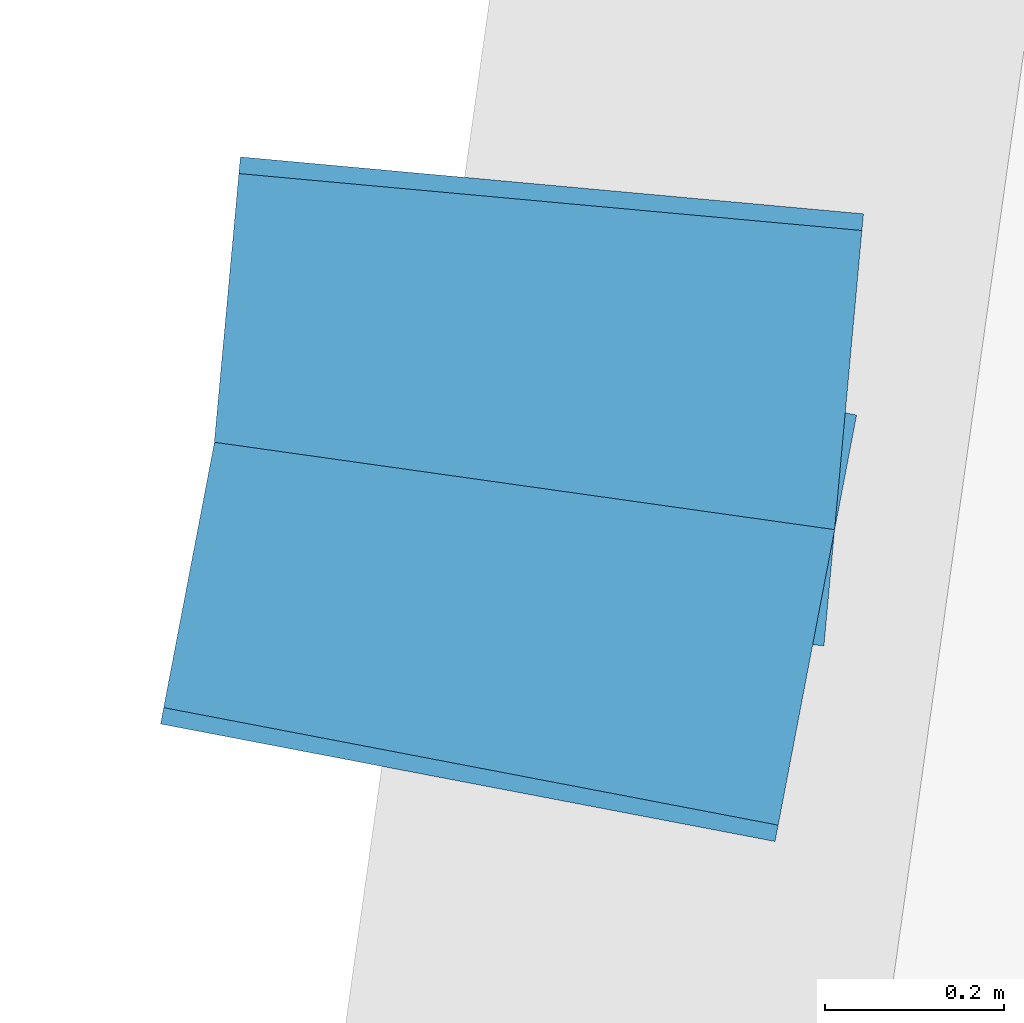
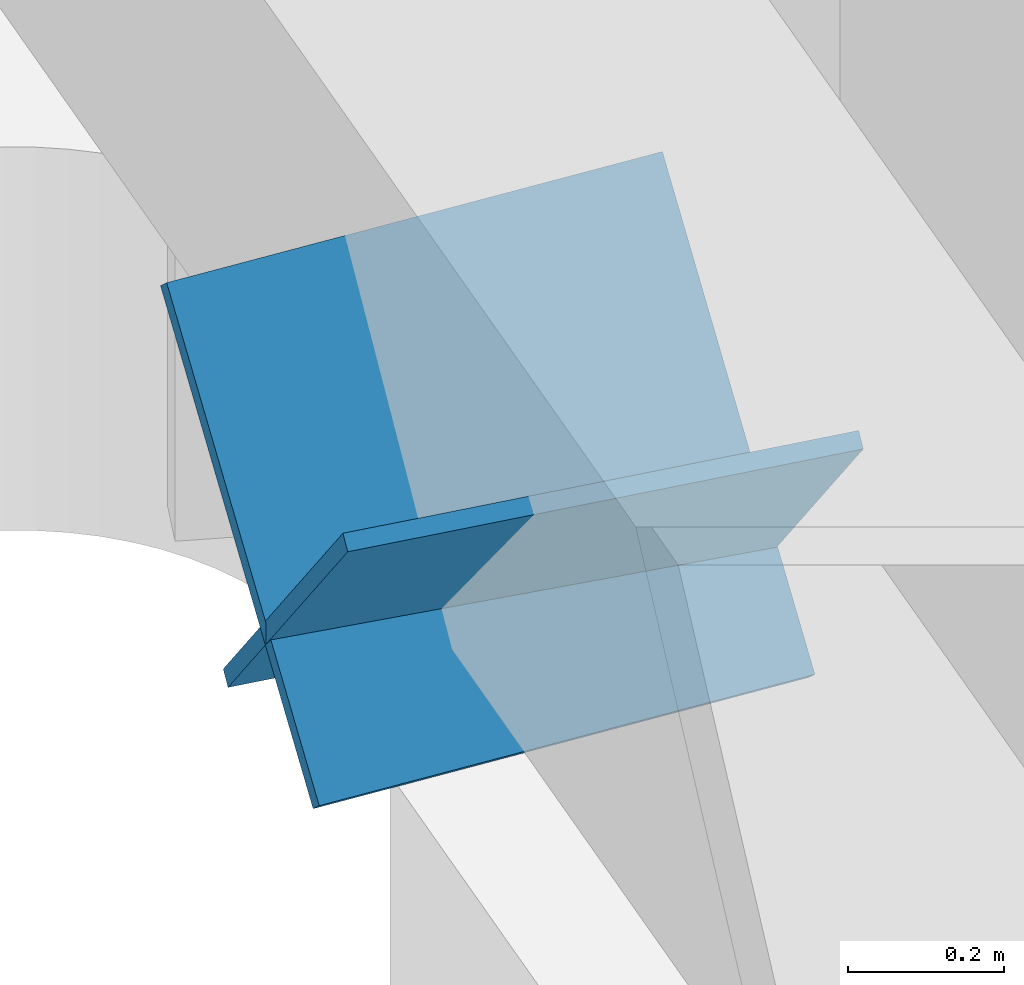
# One storey, part 27 of 32: 2 discrete accessories.
"""IFC4 building model written with IfcOpenShell, lengths in metres."""

from ifc_helpers import new_model, si_unit, direction, frame, origin, origin_2d, place, context, subcontext, project, spatial, rectangle, extrude, material, material_profile, profile_set, type_object, element, save


model = new_model("IFC4")

# Units and contexts
model_context = context("Model", 3, precision=1e-05, world=origin(), true_north=direction((0.0, 1.0)))
body_context = subcontext(model_context, "Body", "Model", "MODEL_VIEW")
ifc_project = project(units=[si_unit("LENGTHUNIT", "METRE"), si_unit("AREAUNIT", "SQUARE_METRE"), si_unit("VOLUMEUNIT", "CUBIC_METRE"), si_unit("PLANEANGLEUNIT", "RADIAN"), si_unit("MASSUNIT", "GRAM", prefix="KILO")], contexts=[model_context])

# Site, building, storey
site_placement = place(None, origin())
site = spatial("IfcSite", under=ifc_project, at=site_placement, CompositionType="ELEMENT")
building_placement = place(site_placement, origin())
building = spatial("IfcBuilding", under=site, at=building_placement, Name="Mirante Cascada Hotel Towers", CompositionType="ELEMENT")
storey_placement = place(building_placement, frame((0.0, 0.0, 176.4)))
storey = spatial("IfcBuildingStorey", under=building, at=storey_placement, Name="L41", CompositionType="ELEMENT", Elevation=176.4)

# Discrete accessories
ifc_material = material(Name="Steel ASTM A572 Gr 50", Category="steel")
ifc_material_profile = material_profile(ifc_material, rectangle(XDim=0.7, YDim=0.7, at=origin_2d()), Name="Connection plate 700x700x25 ASTM A572 Gr 50")
ifc_profile_set = profile_set([ifc_material_profile], Name="Steel ASTM A572 Gr 50")
discrete_accessory_type = type_object("IfcDiscreteAccessoryType", Name="Connection plate 700x700x25 ASTM A572 Gr 50", PredefinedType="BRACKET", material=ifc_profile_set)
discrete_accessory_1_placement = place(storey_placement, frame((-93.398, 6.8047, 0.8311), z_axis=(0.1398848, 0.7313976, 0.6674502), x_axis=(-0.9821974, 0.187852, 0.0)))
element("IfcDiscreteAccessory", 1, at=discrete_accessory_1_placement, inside=storey, type_object=discrete_accessory_type, Name="Connection plate MB-OL36L", PredefinedType="BRACKET", context=body_context, shape_type="SweptSolid", body=[
    extrude(rectangle(XDim=0.7, YDim=0.7, at=origin_2d()), origin(), (0.0, 0.0, 1.0), 0.025),
])
discrete_accessory_2_placement = place(storey_placement, frame((-93.369, 7.0113, 0.8311), z_axis=(-0.0678514, -0.7423745, 0.6665405), x_axis=(0.9958492, -0.0910185, 0.0)))
element("IfcDiscreteAccessory", 2, at=discrete_accessory_2_placement, inside=storey, type_object=discrete_accessory_type, Name="Connection plate MB-OL36R", PredefinedType="BRACKET", context=body_context, shape_type="SweptSolid", body=[
    extrude(rectangle(XDim=0.7, YDim=0.7, at=origin_2d()), origin(), (0.0, 0.0, 1.0), 0.0251),
])

save(model, "model.ifc")
